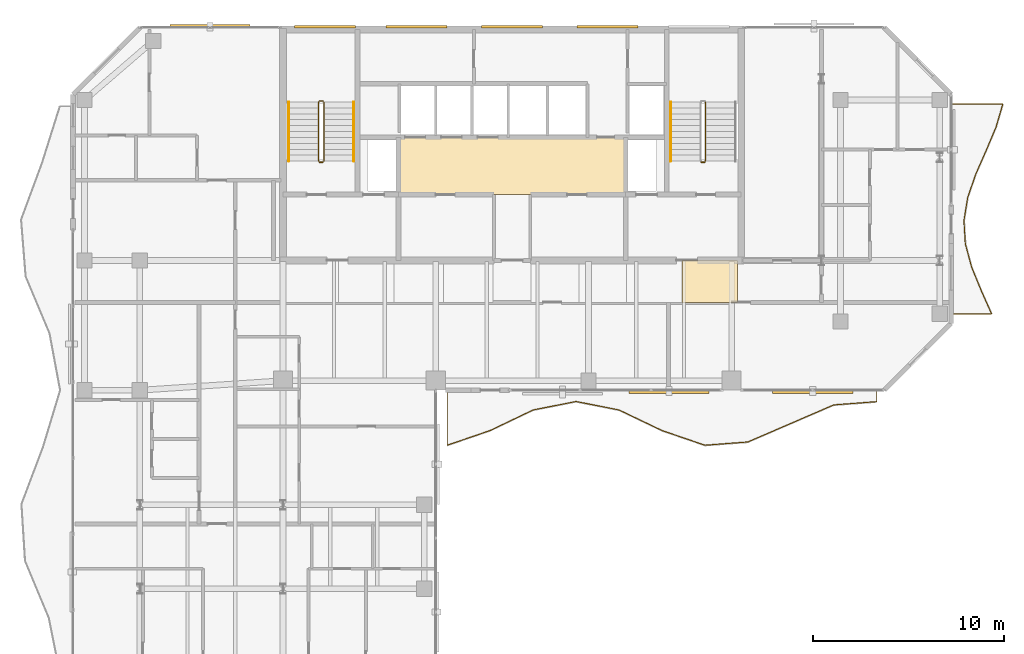
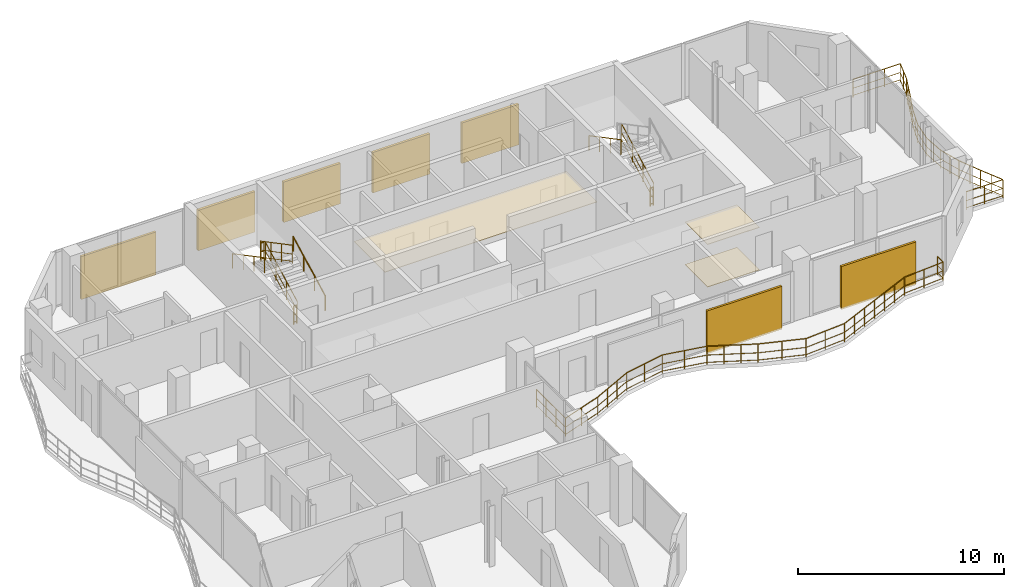
# One storey, part 22 of 23: 11 railings, 7 shading devices, 3 coverings.
"""IFC4 building model written with IfcOpenShell, lengths in metres."""

from ifc_helpers import new_model, si_unit, direction, frame, origin, origin_2d, place, context, subcontext, project, spatial, polyline, rectangle, circle, outline, extrude, material, layer, layer_set, type_object, element, save


model = new_model("IFC4")

# Units and contexts
model_context = context("Model", 3, precision=1e-05, world=origin(), true_north=direction((0.0, 1.0)))
body_context = subcontext(model_context, "Body", "Model", "MODEL_VIEW")
ifc_project = project(units=[si_unit("LENGTHUNIT", "METRE"), si_unit("AREAUNIT", "SQUARE_METRE"), si_unit("VOLUMEUNIT", "CUBIC_METRE"), si_unit("PLANEANGLEUNIT", "RADIAN"), si_unit("MASSUNIT", "GRAM", prefix="KILO")], contexts=[model_context])

# Site, building, storey
site_placement = place(None, origin())
site = spatial("IfcSite", under=ifc_project, at=site_placement, CompositionType="ELEMENT")
building_placement = place(site_placement, origin())
building = spatial("IfcBuilding", under=site, at=building_placement, Name="Catumbela Crestline Tower", CompositionType="ELEMENT")
storey_placement = place(building_placement, frame((0.0, 0.0, 165.0)))
storey = spatial("IfcBuildingStorey", under=building, at=storey_placement, Name="L42", CompositionType="ELEMENT", Elevation=165.0)

# Coverings
ifc_material_1 = material(Name="Mineral-fibre acoustic ceiling")
ifc_layer_1 = layer(ifc_material_1, 0.03, Name="Mineral-fibre acoustic ceiling")
ifc_layer_set_1 = layer_set([ifc_layer_1], Name="Mineral-fibre acoustic ceiling")
covering_type_1 = type_object("IfcCoveringType", Name="CC-AC", PredefinedType="CEILING", material=ifc_layer_set_1)
covering_1_placement = place(storey_placement, frame((0.0, 0.0, 2.65)))
element("IfcCovering", 1, at=covering_1_placement, inside=storey, type_object=covering_type_1, Name="L42 Lift Lobby Acoustic Ceiling", PredefinedType="CEILING", context=body_context, shape_type="SweptSolid", body=[
    extrude(outline(polyline([(22.05, 34.25), (33.95, 34.25), (33.95, 37.25), (22.05, 37.25), (22.05, 34.25)])), origin(), (0.0, 0.0, 1.0), 0.03),
])
covering_2_placement = place(storey_placement, frame((0.0, 0.0, 2.52)))
element("IfcCovering", 2, at=covering_2_placement, inside=storey, type_object=covering_type_1, Name="L42 Corridor Acoustic Ceiling Bay 8", PredefinedType="CEILING", context=body_context, shape_type="SweptSolid", body=[
    extrude(outline(polyline([(36.9, 28.6), (39.8, 28.6), (39.8, 30.8), (36.9, 30.8), (36.9, 28.6)])), origin(), (0.0, 0.0, 1.0), 0.03),
])
ifc_material_2 = material(Name="Angolan grey-ochre granite", Category="masonry")
ifc_layer_2 = layer(ifc_material_2, 0.025, Name="Angolan grey-ochre granite")
ifc_layer_set_2 = layer_set([ifc_layer_2], Name="Angolan grey-ochre granite")
covering_type_2 = type_object("IfcCoveringType", Name="CF-GR", PredefinedType="FLOORING", material=ifc_layer_set_2)
covering_3_placement = place(storey_placement, origin())
element("IfcCovering", 3, at=covering_3_placement, inside=storey, type_object=covering_type_2, Name="L42 Corridor Granite Flooring Bay 8", PredefinedType="FLOORING", context=body_context, shape_type="SweptSolid", body=[
    extrude(outline(polyline([(36.9, 28.6), (39.8, 28.6), (39.8, 30.8), (36.9, 30.8), (36.9, 28.6)])), origin(), (0.0, 0.0, 1.0), 0.025),
])

# Railings
ifc_material_3 = material(Name="Stainless steel EN 1.4401", Category="steel")
railing_type_1 = type_object("IfcRailingType", Name="RB-1100", PredefinedType="BALUSTRADE", material=ifc_material_3)
railing_1_placement = place(storey_placement, frame((24.6, 23.94, 0.0)))
element("IfcRailing", 4, at=railing_1_placement, inside=storey, type_object=railing_type_1, Name="L42 Private Wave Balcony Balustrade 1", PredefinedType="BALUSTRADE", context=body_context, shape_type="SweptSolid", body=[
    extrude(circle(Radius=0.024, at=origin_2d()), frame((0.0, 0.0, 1.076), z_axis=(0.0, -1.0, 0.0), x_axis=(1.0, 0.0, 0.0)), (0.0, 0.0, 1.0), 2.8213),
    extrude(circle(Radius=0.0156, at=origin_2d()), frame((0.0, 0.0, 0.55), z_axis=(0.0, -1.0, 0.0), x_axis=(1.0, 0.0, 0.0)), (0.0, 0.0, 1.0), 2.8213),
    extrude(circle(Radius=0.0156, at=origin_2d()), frame((0.0, 0.0, 0.12), z_axis=(0.0, -1.0, 0.0), x_axis=(1.0, 0.0, 0.0)), (0.0, 0.0, 1.0), 2.8213),
    extrude(circle(Radius=0.024, at=origin_2d()), frame((0.0, -2.8213, 1.076), z_axis=(0.946065665735, 0.323974931311, 0.0), x_axis=(-0.323974931311, 0.946065665735, 0.0)), (0.0, 0.0, 1.0), 2.3783),
    extrude(circle(Radius=0.0156, at=origin_2d()), frame((0.0, -2.8213, 0.55), z_axis=(0.946065665735, 0.323974931311, 0.0), x_axis=(-0.323974931311, 0.946065665735, 0.0)), (0.0, 0.0, 1.0), 2.3783),
    extrude(circle(Radius=0.0156, at=origin_2d()), frame((0.0, -2.8213, 0.12), z_axis=(0.946065665735, 0.323974931311, 0.0), x_axis=(-0.323974931311, 0.946065665735, 0.0)), (0.0, 0.0, 1.0), 2.3783),
    extrude(circle(Radius=0.024, at=origin_2d()), frame((2.25, -2.0508, 1.076), z_axis=(0.902132186045, 0.431459753513, 0.0), x_axis=(-0.431459753513, 0.902132186045, 0.0)), (0.0, 0.0, 1.0), 2.4941),
    extrude(circle(Radius=0.0156, at=origin_2d()), frame((2.25, -2.0508, 0.55), z_axis=(0.902132186045, 0.431459753513, 0.0), x_axis=(-0.431459753513, 0.902132186045, 0.0)), (0.0, 0.0, 1.0), 2.4941),
    extrude(circle(Radius=0.0156, at=origin_2d()), frame((2.25, -2.0508, 0.12), z_axis=(0.902132186045, 0.431459753513, 0.0), x_axis=(-0.431459753513, 0.902132186045, 0.0)), (0.0, 0.0, 1.0), 2.4941),
    extrude(circle(Radius=0.024, at=origin_2d()), frame((4.5, -0.9747, 1.076), z_axis=(0.981022553047, 0.193893657484, 0.0), x_axis=(-0.193893657484, 0.981022553047, 0.0)), (0.0, 0.0, 1.0), 2.2935),
    extrude(circle(Radius=0.0156, at=origin_2d()), frame((4.5, -0.9747, 0.55), z_axis=(0.981022553047, 0.193893657484, 0.0), x_axis=(-0.193893657484, 0.981022553047, 0.0)), (0.0, 0.0, 1.0), 2.2935),
    extrude(circle(Radius=0.0156, at=origin_2d()), frame((4.5, -0.9747, 0.12), z_axis=(0.981022553047, 0.193893657484, 0.0), x_axis=(-0.193893657484, 0.981022553047, 0.0)), (0.0, 0.0, 1.0), 2.2935),
    extrude(circle(Radius=0.024, at=origin_2d()), frame((6.75, -0.53, 1.076), z_axis=(0.981022553047, -0.193893657484, 0.0), x_axis=(0.193893657484, 0.981022553047, 0.0)), (0.0, 0.0, 1.0), 2.2935),
    extrude(circle(Radius=0.0156, at=origin_2d()), frame((6.75, -0.53, 0.55), z_axis=(0.981022553047, -0.193893657484, 0.0), x_axis=(0.193893657484, 0.981022553047, 0.0)), (0.0, 0.0, 1.0), 2.2935),
    extrude(circle(Radius=0.0156, at=origin_2d()), frame((6.75, -0.53, 0.12), z_axis=(0.981022553047, -0.193893657484, 0.0), x_axis=(0.193893657484, 0.981022553047, 0.0)), (0.0, 0.0, 1.0), 2.2935),
    extrude(circle(Radius=0.024, at=origin_2d()), frame((9.0, -0.9747, 1.076), z_axis=(0.902132186045, -0.431459753513, 0.0), x_axis=(0.431459753513, 0.902132186045, 0.0)), (0.0, 0.0, 1.0), 2.4941),
    extrude(circle(Radius=0.0156, at=origin_2d()), frame((9.0, -0.9747, 0.55), z_axis=(0.902132186045, -0.431459753513, 0.0), x_axis=(0.431459753513, 0.902132186045, 0.0)), (0.0, 0.0, 1.0), 2.4941),
    extrude(circle(Radius=0.0156, at=origin_2d()), frame((9.0, -0.9747, 0.12), z_axis=(0.902132186045, -0.431459753513, 0.0), x_axis=(0.431459753513, 0.902132186045, 0.0)), (0.0, 0.0, 1.0), 2.4941),
    extrude(circle(Radius=0.024, at=origin_2d()), frame((11.25, -2.0508, 1.076), z_axis=(0.946065665735, -0.323974931311, 0.0), x_axis=(0.323974931311, 0.946065665735, 0.0)), (0.0, 0.0, 1.0), 2.3783),
    extrude(circle(Radius=0.0156, at=origin_2d()), frame((11.25, -2.0508, 0.55), z_axis=(0.946065665735, -0.323974931311, 0.0), x_axis=(0.323974931311, 0.946065665735, 0.0)), (0.0, 0.0, 1.0), 2.3783),
    extrude(circle(Radius=0.0156, at=origin_2d()), frame((11.25, -2.0508, 0.12), z_axis=(0.946065665735, -0.323974931311, 0.0), x_axis=(0.323974931311, 0.946065665735, 0.0)), (0.0, 0.0, 1.0), 2.3783),
    extrude(circle(Radius=0.024, at=origin_2d()), frame((13.5, -2.8213, 1.076), z_axis=(0.997141170455, 0.075561142028, 0.0), x_axis=(-0.075561142028, 0.997141170455, 0.0)), (0.0, 0.0, 1.0), 2.2565),
    extrude(circle(Radius=0.0156, at=origin_2d()), frame((13.5, -2.8213, 0.55), z_axis=(0.997141170455, 0.075561142028, 0.0), x_axis=(-0.075561142028, 0.997141170455, 0.0)), (0.0, 0.0, 1.0), 2.2565),
    extrude(circle(Radius=0.0156, at=origin_2d()), frame((13.5, -2.8213, 0.12), z_axis=(0.997141170455, 0.075561142028, 0.0), x_axis=(-0.075561142028, 0.997141170455, 0.0)), (0.0, 0.0, 1.0), 2.2565),
    extrude(circle(Radius=0.024, at=origin_2d()), frame((15.75, -2.6508, 1.076), z_axis=(0.918179780553, 0.396163969316, 0.0), x_axis=(-0.396163969316, 0.918179780553, 0.0)), (0.0, 0.0, 1.0), 2.4505),
    extrude(circle(Radius=0.0156, at=origin_2d()), frame((15.75, -2.6508, 0.55), z_axis=(0.918179780553, 0.396163969316, 0.0), x_axis=(-0.396163969316, 0.918179780553, 0.0)), (0.0, 0.0, 1.0), 2.4505),
    extrude(circle(Radius=0.0156, at=origin_2d()), frame((15.75, -2.6508, 0.12), z_axis=(0.918179780553, 0.396163969316, 0.0), x_axis=(-0.396163969316, 0.918179780553, 0.0)), (0.0, 0.0, 1.0), 2.4505),
    extrude(circle(Radius=0.024, at=origin_2d()), frame((18.0, -1.68, 1.076), z_axis=(0.918179780553, 0.396163969316, 0.0), x_axis=(-0.396163969316, 0.918179780553, 0.0)), (0.0, 0.0, 1.0), 2.4505),
    extrude(circle(Radius=0.0156, at=origin_2d()), frame((18.0, -1.68, 0.55), z_axis=(0.918179780553, 0.396163969316, 0.0), x_axis=(-0.396163969316, 0.918179780553, 0.0)), (0.0, 0.0, 1.0), 2.4505),
    extrude(circle(Radius=0.0156, at=origin_2d()), frame((18.0, -1.68, 0.12), z_axis=(0.918179780553, 0.396163969316, 0.0), x_axis=(-0.396163969316, 0.918179780553, 0.0)), (0.0, 0.0, 1.0), 2.4505),
    extrude(circle(Radius=0.024, at=origin_2d()), frame((20.25, -0.7092, 1.076), z_axis=(0.997141170455, 0.075561142028, 0.0), x_axis=(-0.075561142028, 0.997141170455, 0.0)), (0.0, 0.0, 1.0), 2.2565),
    extrude(circle(Radius=0.0156, at=origin_2d()), frame((20.25, -0.7092, 0.55), z_axis=(0.997141170455, 0.075561142028, 0.0), x_axis=(-0.075561142028, 0.997141170455, 0.0)), (0.0, 0.0, 1.0), 2.2565),
    extrude(circle(Radius=0.0156, at=origin_2d()), frame((20.25, -0.7092, 0.12), z_axis=(0.997141170455, 0.075561142028, 0.0), x_axis=(-0.075561142028, 0.997141170455, 0.0)), (0.0, 0.0, 1.0), 2.2565),
    extrude(circle(Radius=0.024, at=origin_2d()), frame((22.5, -0.5387, 1.076), z_axis=(0.0, 1.0, 0.0), x_axis=(-1.0, 0.0, 0.0)), (0.0, 0.0, 1.0), 0.5387),
    extrude(circle(Radius=0.0156, at=origin_2d()), frame((22.5, -0.5387, 0.55), z_axis=(0.0, 1.0, 0.0), x_axis=(-1.0, 0.0, 0.0)), (0.0, 0.0, 1.0), 0.5387),
    extrude(circle(Radius=0.0156, at=origin_2d()), frame((22.5, -0.5387, 0.12), z_axis=(0.0, 1.0, 0.0), x_axis=(-1.0, 0.0, 0.0)), (0.0, 0.0, 1.0), 0.5387),
    extrude(circle(Radius=0.021, at=origin_2d()), origin(), (0.0, 0.0, 1.0), 1.052),
    extrude(circle(Radius=0.021, at=origin_2d()), frame((0.0, -0.9404, 0.0)), (0.0, 0.0, 1.0), 1.052),
    extrude(circle(Radius=0.021, at=origin_2d()), frame((0.0, -1.8809, 0.0)), (0.0, 0.0, 1.0), 1.052),
    extrude(circle(Radius=0.021, at=origin_2d()), frame((0.0, -2.8213, 0.0)), (0.0, 0.0, 1.0), 1.052),
    extrude(circle(Radius=0.021, at=origin_2d()), frame((1.125, -2.4361, 0.0)), (0.0, 0.0, 1.0), 1.052),
    extrude(circle(Radius=0.021, at=origin_2d()), frame((2.25, -2.0508, 0.0)), (0.0, 0.0, 1.0), 1.052),
    extrude(circle(Radius=0.021, at=origin_2d()), frame((3.0, -1.6921, 0.0)), (0.0, 0.0, 1.0), 1.052),
    extrude(circle(Radius=0.021, at=origin_2d()), frame((3.75, -1.3334, 0.0)), (0.0, 0.0, 1.0), 1.052),
    extrude(circle(Radius=0.021, at=origin_2d()), frame((4.5, -0.9747, 0.0)), (0.0, 0.0, 1.0), 1.052),
    extrude(circle(Radius=0.021, at=origin_2d()), frame((5.625, -0.7524, 0.0)), (0.0, 0.0, 1.0), 1.052),
    extrude(circle(Radius=0.021, at=origin_2d()), frame((6.75, -0.53, 0.0)), (0.0, 0.0, 1.0), 1.052),
    extrude(circle(Radius=0.021, at=origin_2d()), frame((7.875, -0.7524, 0.0)), (0.0, 0.0, 1.0), 1.052),
    extrude(circle(Radius=0.021, at=origin_2d()), frame((9.0, -0.9747, 0.0)), (0.0, 0.0, 1.0), 1.052),
    extrude(circle(Radius=0.021, at=origin_2d()), frame((9.75, -1.3334, 0.0)), (0.0, 0.0, 1.0), 1.052),
    extrude(circle(Radius=0.021, at=origin_2d()), frame((10.5, -1.6921, 0.0)), (0.0, 0.0, 1.0), 1.052),
    extrude(circle(Radius=0.021, at=origin_2d()), frame((11.25, -2.0508, 0.0)), (0.0, 0.0, 1.0), 1.052),
    extrude(circle(Radius=0.021, at=origin_2d()), frame((12.375, -2.4361, 0.0)), (0.0, 0.0, 1.0), 1.052),
    extrude(circle(Radius=0.021, at=origin_2d()), frame((13.5, -2.8213, 0.0)), (0.0, 0.0, 1.0), 1.052),
    extrude(circle(Radius=0.021, at=origin_2d()), frame((14.625, -2.7361, 0.0)), (0.0, 0.0, 1.0), 1.052),
    extrude(circle(Radius=0.021, at=origin_2d()), frame((15.75, -2.6508, 0.0)), (0.0, 0.0, 1.0), 1.052),
    extrude(circle(Radius=0.021, at=origin_2d()), frame((16.5, -2.3272, 0.0)), (0.0, 0.0, 1.0), 1.052),
    extrude(circle(Radius=0.021, at=origin_2d()), frame((17.25, -2.0036, 0.0)), (0.0, 0.0, 1.0), 1.052),
    extrude(circle(Radius=0.021, at=origin_2d()), frame((18.0, -1.68, 0.0)), (0.0, 0.0, 1.0), 1.052),
    extrude(circle(Radius=0.021, at=origin_2d()), frame((18.75, -1.3564, 0.0)), (0.0, 0.0, 1.0), 1.052),
    extrude(circle(Radius=0.021, at=origin_2d()), frame((19.5, -1.0328, 0.0)), (0.0, 0.0, 1.0), 1.052),
    extrude(circle(Radius=0.021, at=origin_2d()), frame((20.25, -0.7092, 0.0)), (0.0, 0.0, 1.0), 1.052),
    extrude(circle(Radius=0.021, at=origin_2d()), frame((21.375, -0.624, 0.0)), (0.0, 0.0, 1.0), 1.052),
    extrude(circle(Radius=0.021, at=origin_2d()), frame((22.5, -0.5387, 0.0)), (0.0, 0.0, 1.0), 1.052),
    extrude(circle(Radius=0.021, at=origin_2d()), frame((22.5, 0.0, 0.0)), (0.0, 0.0, 1.0), 1.052),
])
railing_2_placement = place(storey_placement, frame((51.06, 28.0, 0.0)))
element("IfcRailing", 5, at=railing_2_placement, inside=storey, type_object=railing_type_1, Name="L42 Private Wave Balcony Balustrade 2", PredefinedType="BALUSTRADE", context=body_context, shape_type="SweptSolid", body=[
    extrude(circle(Radius=0.024, at=origin_2d()), frame((0.0, 0.0, 1.076), z_axis=(1.0, 0.0, 0.0), x_axis=(0.0, 1.0, 0.0)), (0.0, 0.0, 1.0), 2.0571),
    extrude(circle(Radius=0.0156, at=origin_2d()), frame((0.0, 0.0, 0.55), z_axis=(1.0, 0.0, 0.0), x_axis=(0.0, 1.0, 0.0)), (0.0, 0.0, 1.0), 2.0571),
    extrude(circle(Radius=0.0156, at=origin_2d()), frame((0.0, 0.0, 0.12), z_axis=(1.0, 0.0, 0.0), x_axis=(0.0, 1.0, 0.0)), (0.0, 0.0, 1.0), 2.0571),
    extrude(circle(Radius=0.024, at=origin_2d()), frame((2.0571, 0.0, 1.076), z_axis=(-0.406762530964, 0.913533931173, 0.0), x_axis=(-0.913533931173, -0.406762530964, 0.0)), (0.0, 0.0, 1.0), 1.3379),
    extrude(circle(Radius=0.0156, at=origin_2d()), frame((2.0571, 0.0, 0.55), z_axis=(-0.406762530964, 0.913533931173, 0.0), x_axis=(-0.913533931173, -0.406762530964, 0.0)), (0.0, 0.0, 1.0), 1.3379),
    extrude(circle(Radius=0.0156, at=origin_2d()), frame((2.0571, 0.0, 0.12), z_axis=(-0.406762530964, 0.913533931173, 0.0), x_axis=(-0.913533931173, -0.406762530964, 0.0)), (0.0, 0.0, 1.0), 1.3379),
    extrude(circle(Radius=0.024, at=origin_2d()), frame((1.5129, 1.2222, 1.076), z_axis=(-0.379481592709, 0.92519928707, 0.0), x_axis=(-0.92519928707, -0.379481592709, 0.0)), (0.0, 0.0, 1.0), 1.321),
    extrude(circle(Radius=0.0156, at=origin_2d()), frame((1.5129, 1.2222, 0.55), z_axis=(-0.379481592709, 0.92519928707, 0.0), x_axis=(-0.92519928707, -0.379481592709, 0.0)), (0.0, 0.0, 1.0), 1.321),
    extrude(circle(Radius=0.0156, at=origin_2d()), frame((1.5129, 1.2222, 0.12), z_axis=(-0.379481592709, 0.92519928707, 0.0), x_axis=(-0.92519928707, -0.379481592709, 0.0)), (0.0, 0.0, 1.0), 1.321),
    extrude(circle(Radius=0.024, at=origin_2d()), frame((1.0116, 2.4444, 1.076), z_axis=(-0.260576771325, 0.96545313001, 0.0), x_axis=(-0.96545313001, -0.260576771325, 0.0)), (0.0, 0.0, 1.0), 1.266),
    extrude(circle(Radius=0.0156, at=origin_2d()), frame((1.0116, 2.4444, 0.55), z_axis=(-0.260576771325, 0.96545313001, 0.0), x_axis=(-0.96545313001, -0.260576771325, 0.0)), (0.0, 0.0, 1.0), 1.266),
    extrude(circle(Radius=0.0156, at=origin_2d()), frame((1.0116, 2.4444, 0.12), z_axis=(-0.260576771325, 0.96545313001, 0.0), x_axis=(-0.96545313001, -0.260576771325, 0.0)), (0.0, 0.0, 1.0), 1.266),
    extrude(circle(Radius=0.024, at=origin_2d()), frame((0.6817, 3.6667, 1.076), z_axis=(-0.06035450881, 0.998177004978, 0.0), x_axis=(-0.998177004978, -0.06035450881, 0.0)), (0.0, 0.0, 1.0), 1.2244),
    extrude(circle(Radius=0.0156, at=origin_2d()), frame((0.6817, 3.6667, 0.55), z_axis=(-0.06035450881, 0.998177004978, 0.0), x_axis=(-0.998177004978, -0.06035450881, 0.0)), (0.0, 0.0, 1.0), 1.2244),
    extrude(circle(Radius=0.0156, at=origin_2d()), frame((0.6817, 3.6667, 0.12), z_axis=(-0.06035450881, 0.998177004978, 0.0), x_axis=(-0.998177004978, -0.06035450881, 0.0)), (0.0, 0.0, 1.0), 1.2244),
    extrude(circle(Radius=0.024, at=origin_2d()), frame((0.6078, 4.8889, 1.076), z_axis=(0.162277672782, 0.986745132705, 0.0), x_axis=(-0.986745132705, 0.162277672782, 0.0)), (0.0, 0.0, 1.0), 1.2386),
    extrude(circle(Radius=0.0156, at=origin_2d()), frame((0.6078, 4.8889, 0.55), z_axis=(0.162277672782, 0.986745132705, 0.0), x_axis=(-0.986745132705, 0.162277672782, 0.0)), (0.0, 0.0, 1.0), 1.2386),
    extrude(circle(Radius=0.0156, at=origin_2d()), frame((0.6078, 4.8889, 0.12), z_axis=(0.162277672782, 0.986745132705, 0.0), x_axis=(-0.986745132705, 0.162277672782, 0.0)), (0.0, 0.0, 1.0), 1.2386),
    extrude(circle(Radius=0.024, at=origin_2d()), frame((0.8088, 6.1111, 1.076), z_axis=(0.328097905892, 0.944643723395, 0.0), x_axis=(-0.944643723395, 0.328097905892, 0.0)), (0.0, 0.0, 1.0), 1.2938),
    extrude(circle(Radius=0.0156, at=origin_2d()), frame((0.8088, 6.1111, 0.55), z_axis=(0.328097905892, 0.944643723395, 0.0), x_axis=(-0.944643723395, 0.328097905892, 0.0)), (0.0, 0.0, 1.0), 1.2938),
    extrude(circle(Radius=0.0156, at=origin_2d()), frame((0.8088, 6.1111, 0.12), z_axis=(0.328097905892, 0.944643723395, 0.0), x_axis=(-0.944643723395, 0.328097905892, 0.0)), (0.0, 0.0, 1.0), 1.2938),
    extrude(circle(Radius=0.024, at=origin_2d()), frame((1.2333, 7.3333, 1.076), z_axis=(0.403420872886, 0.915014535032, 0.0), x_axis=(-0.915014535032, 0.403420872886, 0.0)), (0.0, 0.0, 1.0), 1.3358),
    extrude(circle(Radius=0.0156, at=origin_2d()), frame((1.2333, 7.3333, 0.55), z_axis=(0.403420872886, 0.915014535032, 0.0), x_axis=(-0.915014535032, 0.403420872886, 0.0)), (0.0, 0.0, 1.0), 1.3358),
    extrude(circle(Radius=0.0156, at=origin_2d()), frame((1.2333, 7.3333, 0.12), z_axis=(0.403420872886, 0.915014535032, 0.0), x_axis=(-0.915014535032, 0.403420872886, 0.0)), (0.0, 0.0, 1.0), 1.3358),
    extrude(circle(Radius=0.024, at=origin_2d()), frame((1.7722, 8.5556, 1.076), z_axis=(0.388562501321, 0.921422369257, 0.0), x_axis=(-0.921422369257, 0.388562501321, 0.0)), (0.0, 0.0, 1.0), 1.3264),
    extrude(circle(Radius=0.0156, at=origin_2d()), frame((1.7722, 8.5556, 0.55), z_axis=(0.388562501321, 0.921422369257, 0.0), x_axis=(-0.921422369257, 0.388562501321, 0.0)), (0.0, 0.0, 1.0), 1.3264),
    extrude(circle(Radius=0.0156, at=origin_2d()), frame((1.7722, 8.5556, 0.12), z_axis=(0.388562501321, 0.921422369257, 0.0), x_axis=(-0.921422369257, 0.388562501321, 0.0)), (0.0, 0.0, 1.0), 1.3264),
    extrude(circle(Radius=0.024, at=origin_2d()), frame((2.2876, 9.7778, 1.076), z_axis=(0.282187572422, 0.959359251777, 0.0), x_axis=(-0.959359251777, 0.282187572422, 0.0)), (0.0, 0.0, 1.0), 1.274),
    extrude(circle(Radius=0.0156, at=origin_2d()), frame((2.2876, 9.7778, 0.55), z_axis=(0.282187572422, 0.959359251777, 0.0), x_axis=(-0.959359251777, 0.282187572422, 0.0)), (0.0, 0.0, 1.0), 1.274),
    extrude(circle(Radius=0.0156, at=origin_2d()), frame((2.2876, 9.7778, 0.12), z_axis=(0.282187572422, 0.959359251777, 0.0), x_axis=(-0.959359251777, 0.282187572422, 0.0)), (0.0, 0.0, 1.0), 1.274),
    extrude(circle(Radius=0.024, at=origin_2d()), frame((2.6471, 11.0, 1.076), z_axis=(-1.0, 0.0, 0.0), x_axis=(0.0, -1.0, 0.0)), (0.0, 0.0, 1.0), 2.6471),
    extrude(circle(Radius=0.0156, at=origin_2d()), frame((2.6471, 11.0, 0.55), z_axis=(-1.0, 0.0, 0.0), x_axis=(0.0, -1.0, 0.0)), (0.0, 0.0, 1.0), 2.6471),
    extrude(circle(Radius=0.0156, at=origin_2d()), frame((2.6471, 11.0, 0.12), z_axis=(-1.0, 0.0, 0.0), x_axis=(0.0, -1.0, 0.0)), (0.0, 0.0, 1.0), 2.6471),
    extrude(circle(Radius=0.021, at=origin_2d()), origin(), (0.0, 0.0, 1.0), 1.052),
    extrude(circle(Radius=0.021, at=origin_2d()), frame((1.0285, 0.0, 0.0)), (0.0, 0.0, 1.0), 1.052),
    extrude(circle(Radius=0.021, at=origin_2d()), frame((2.0571, 0.0, 0.0)), (0.0, 0.0, 1.0), 1.052),
    extrude(circle(Radius=0.021, at=origin_2d()), frame((1.785, 0.6111, 0.0)), (0.0, 0.0, 1.0), 1.052),
    extrude(circle(Radius=0.021, at=origin_2d()), frame((1.5129, 1.2222, 0.0)), (0.0, 0.0, 1.0), 1.052),
    extrude(circle(Radius=0.021, at=origin_2d()), frame((1.2622, 1.8333, 0.0)), (0.0, 0.0, 1.0), 1.052),
    extrude(circle(Radius=0.021, at=origin_2d()), frame((1.0116, 2.4444, 0.0)), (0.0, 0.0, 1.0), 1.052),
    extrude(circle(Radius=0.021, at=origin_2d()), frame((0.8466, 3.0556, 0.0)), (0.0, 0.0, 1.0), 1.052),
    extrude(circle(Radius=0.021, at=origin_2d()), frame((0.6817, 3.6667, 0.0)), (0.0, 0.0, 1.0), 1.052),
    extrude(circle(Radius=0.021, at=origin_2d()), frame((0.6447, 4.2778, 0.0)), (0.0, 0.0, 1.0), 1.052),
    extrude(circle(Radius=0.021, at=origin_2d()), frame((0.6078, 4.8889, 0.0)), (0.0, 0.0, 1.0), 1.052),
    extrude(circle(Radius=0.021, at=origin_2d()), frame((0.7083, 5.5, 0.0)), (0.0, 0.0, 1.0), 1.052),
    extrude(circle(Radius=0.021, at=origin_2d()), frame((0.8088, 6.1111, 0.0)), (0.0, 0.0, 1.0), 1.052),
    extrude(circle(Radius=0.021, at=origin_2d()), frame((1.021, 6.7222, 0.0)), (0.0, 0.0, 1.0), 1.052),
    extrude(circle(Radius=0.021, at=origin_2d()), frame((1.2333, 7.3333, 0.0)), (0.0, 0.0, 1.0), 1.052),
    extrude(circle(Radius=0.021, at=origin_2d()), frame((1.5027, 7.9444, 0.0)), (0.0, 0.0, 1.0), 1.052),
    extrude(circle(Radius=0.021, at=origin_2d()), frame((1.7722, 8.5556, 0.0)), (0.0, 0.0, 1.0), 1.052),
    extrude(circle(Radius=0.021, at=origin_2d()), frame((2.0299, 9.1667, 0.0)), (0.0, 0.0, 1.0), 1.052),
    extrude(circle(Radius=0.021, at=origin_2d()), frame((2.2876, 9.7778, 0.0)), (0.0, 0.0, 1.0), 1.052),
    extrude(circle(Radius=0.021, at=origin_2d()), frame((2.4673, 10.3889, 0.0)), (0.0, 0.0, 1.0), 1.052),
    extrude(circle(Radius=0.021, at=origin_2d()), frame((2.6471, 11.0, 0.0)), (0.0, 0.0, 1.0), 1.052),
    extrude(circle(Radius=0.021, at=origin_2d()), frame((1.7647, 11.0, 0.0)), (0.0, 0.0, 1.0), 1.052),
    extrude(circle(Radius=0.021, at=origin_2d()), frame((0.8824, 11.0, 0.0)), (0.0, 0.0, 1.0), 1.052),
    extrude(circle(Radius=0.021, at=origin_2d()), frame((0.0, 11.0, 0.0)), (0.0, 0.0, 1.0), 1.052),
])
railing_type_2 = type_object("IfcRailingType", Name="RG-1100", PredefinedType="GUARDRAIL", material=ifc_material_3)
railing_3_placement = place(storey_placement, frame((18.14, 36.0, 0.1636)))
element("IfcRailing", 6, at=railing_3_placement, inside=storey, type_object=railing_type_2, Name="L42 ST-01 stair guard 1", PredefinedType="GUARDRAIL", context=body_context, shape_type="SweptSolid", body=[
    extrude(circle(Radius=0.024, at=origin_2d()), frame((0.0, 0.0, 1.076), z_axis=(0.0, 0.884350731049, 0.466823076222), x_axis=(-1.0, 0.0, 0.0)), (0.0, 0.0, 1.0), 3.5054),
    extrude(circle(Radius=0.0156, at=origin_2d()), frame((0.0, 0.0, 0.55), z_axis=(0.0, 0.884350731049, 0.466823076222), x_axis=(-1.0, 0.0, 0.0)), (0.0, 0.0, 1.0), 3.5054),
    extrude(circle(Radius=0.0156, at=origin_2d()), frame((0.0, 0.0, 0.12), z_axis=(0.0, 0.884350731049, 0.466823076222), x_axis=(-1.0, 0.0, 0.0)), (0.0, 0.0, 1.0), 3.5054),
    extrude(circle(Radius=0.021, at=origin_2d()), origin(), (0.0, 0.0, 1.0), 1.052),
    extrude(circle(Radius=0.021, at=origin_2d()), frame((0.0, 1.0333, 0.5455)), (0.0, 0.0, 1.0), 1.052),
    extrude(circle(Radius=0.021, at=origin_2d()), frame((0.0, 2.0667, 1.0909)), (0.0, 0.0, 1.0), 1.052),
    extrude(circle(Radius=0.021, at=origin_2d()), frame((0.0, 3.1, 1.6364)), (0.0, 0.0, 1.0), 1.052),
])
railing_4_placement = place(storey_placement, frame((18.09, 39.15, 1.8)))
element("IfcRailing", 7, at=railing_4_placement, inside=storey, type_object=railing_type_2, Name="L42 ST-01 stair guard 2", PredefinedType="GUARDRAIL", context=body_context, shape_type="SweptSolid", body=[
    extrude(circle(Radius=0.024, at=origin_2d()), frame((0.0, 0.0, 1.076), z_axis=(-1.0, 0.0, 0.0), x_axis=(0.0, -1.0, 0.0)), (0.0, 0.0, 1.0), 0.18),
    extrude(circle(Radius=0.0156, at=origin_2d()), frame((0.0, 0.0, 0.55), z_axis=(-1.0, 0.0, 0.0), x_axis=(0.0, -1.0, 0.0)), (0.0, 0.0, 1.0), 0.18),
    extrude(circle(Radius=0.0156, at=origin_2d()), frame((0.0, 0.0, 0.12), z_axis=(-1.0, 0.0, 0.0), x_axis=(0.0, -1.0, 0.0)), (0.0, 0.0, 1.0), 0.18),
    extrude(circle(Radius=0.021, at=origin_2d()), origin(), (0.0, 0.0, 1.0), 1.052),
    extrude(circle(Radius=0.021, at=origin_2d()), frame((-0.18, 0.0, 0.0)), (0.0, 0.0, 1.0), 1.052),
])
railing_5_placement = place(storey_placement, frame((17.86, 39.1, 1.9636)))
element("IfcRailing", 8, at=railing_5_placement, inside=storey, type_object=railing_type_2, Name="L42 ST-01 stair guard 3", PredefinedType="GUARDRAIL", context=body_context, shape_type="SweptSolid", body=[
    extrude(circle(Radius=0.024, at=origin_2d()), frame((0.0, 0.0, 1.076), z_axis=(0.0, -0.884350731049, 0.466823076222), x_axis=(1.0, 0.0, 0.0)), (0.0, 0.0, 1.0), 3.5054),
    extrude(circle(Radius=0.0156, at=origin_2d()), frame((0.0, 0.0, 0.55), z_axis=(0.0, -0.884350731049, 0.466823076222), x_axis=(1.0, 0.0, 0.0)), (0.0, 0.0, 1.0), 3.5054),
    extrude(circle(Radius=0.0156, at=origin_2d()), frame((0.0, 0.0, 0.12), z_axis=(0.0, -0.884350731049, 0.466823076222), x_axis=(1.0, 0.0, 0.0)), (0.0, 0.0, 1.0), 3.5054),
    extrude(circle(Radius=0.021, at=origin_2d()), origin(), (0.0, 0.0, 1.0), 1.052),
    extrude(circle(Radius=0.021, at=origin_2d()), frame((0.0, -1.0333, 0.5455)), (0.0, 0.0, 1.0), 1.052),
    extrude(circle(Radius=0.021, at=origin_2d()), frame((0.0, -2.0667, 1.0909)), (0.0, 0.0, 1.0), 1.052),
    extrude(circle(Radius=0.021, at=origin_2d()), frame((0.0, -3.1, 1.6364)), (0.0, 0.0, 1.0), 1.052),
])
railing_6_placement = place(storey_placement, frame((18.09, 35.95, 0.0)))
element("IfcRailing", 9, at=railing_6_placement, inside=storey, type_object=railing_type_2, Name="L42 ST-01 stair guard 4", PredefinedType="GUARDRAIL", context=body_context, shape_type="SweptSolid", body=[
    extrude(circle(Radius=0.024, at=origin_2d()), frame((0.0, 0.0, 1.076), z_axis=(-1.0, 0.0, 0.0), x_axis=(0.0, -1.0, 0.0)), (0.0, 0.0, 1.0), 0.18),
    extrude(circle(Radius=0.0156, at=origin_2d()), frame((0.0, 0.0, 0.55), z_axis=(-1.0, 0.0, 0.0), x_axis=(0.0, -1.0, 0.0)), (0.0, 0.0, 1.0), 0.18),
    extrude(circle(Radius=0.0156, at=origin_2d()), frame((0.0, 0.0, 0.12), z_axis=(-1.0, 0.0, 0.0), x_axis=(0.0, -1.0, 0.0)), (0.0, 0.0, 1.0), 0.18),
    extrude(circle(Radius=0.021, at=origin_2d()), origin(), (0.0, 0.0, 1.0), 1.052),
    extrude(circle(Radius=0.021, at=origin_2d()), frame((-0.18, 0.0, 0.0)), (0.0, 0.0, 1.0), 1.052),
])
railing_7_placement = place(storey_placement, frame((38.14, 36.0, 0.1636)))
element("IfcRailing", 10, at=railing_7_placement, inside=storey, type_object=railing_type_2, Name="L42 ST-02 stair guard 1", PredefinedType="GUARDRAIL", context=body_context, shape_type="SweptSolid", body=[
    extrude(circle(Radius=0.024, at=origin_2d()), frame((0.0, 0.0, 1.076), z_axis=(0.0, 0.884350731049, 0.466823076222), x_axis=(-1.0, 0.0, 0.0)), (0.0, 0.0, 1.0), 3.5054),
    extrude(circle(Radius=0.0156, at=origin_2d()), frame((0.0, 0.0, 0.55), z_axis=(0.0, 0.884350731049, 0.466823076222), x_axis=(-1.0, 0.0, 0.0)), (0.0, 0.0, 1.0), 3.5054),
    extrude(circle(Radius=0.0156, at=origin_2d()), frame((0.0, 0.0, 0.12), z_axis=(0.0, 0.884350731049, 0.466823076222), x_axis=(-1.0, 0.0, 0.0)), (0.0, 0.0, 1.0), 3.5054),
    extrude(circle(Radius=0.021, at=origin_2d()), origin(), (0.0, 0.0, 1.0), 1.052),
    extrude(circle(Radius=0.021, at=origin_2d()), frame((0.0, 1.0333, 0.5455)), (0.0, 0.0, 1.0), 1.052),
    extrude(circle(Radius=0.021, at=origin_2d()), frame((0.0, 2.0667, 1.0909)), (0.0, 0.0, 1.0), 1.052),
    extrude(circle(Radius=0.021, at=origin_2d()), frame((0.0, 3.1, 1.6364)), (0.0, 0.0, 1.0), 1.052),
])
railing_8_placement = place(storey_placement, frame((38.09, 35.95, 0.0)))
element("IfcRailing", 11, at=railing_8_placement, inside=storey, type_object=railing_type_2, Name="L42 ST-02 stair guard 4", PredefinedType="GUARDRAIL", context=body_context, shape_type="SweptSolid", body=[
    extrude(circle(Radius=0.024, at=origin_2d()), frame((0.0, 0.0, 1.076), z_axis=(-1.0, 0.0, 0.0), x_axis=(0.0, -1.0, 0.0)), (0.0, 0.0, 1.0), 0.18),
    extrude(circle(Radius=0.0156, at=origin_2d()), frame((0.0, 0.0, 0.55), z_axis=(-1.0, 0.0, 0.0), x_axis=(0.0, -1.0, 0.0)), (0.0, 0.0, 1.0), 0.18),
    extrude(circle(Radius=0.0156, at=origin_2d()), frame((0.0, 0.0, 0.12), z_axis=(-1.0, 0.0, 0.0), x_axis=(0.0, -1.0, 0.0)), (0.0, 0.0, 1.0), 0.18),
    extrude(circle(Radius=0.021, at=origin_2d()), origin(), (0.0, 0.0, 1.0), 1.052),
    extrude(circle(Radius=0.021, at=origin_2d()), frame((-0.18, 0.0, 0.0)), (0.0, 0.0, 1.0), 1.052),
])
railing_type_3 = type_object("IfcRailingType", Name="RH-0900", PredefinedType="HANDRAIL", material=ifc_material_3)
railing_9_placement = place(storey_placement, frame((19.7, 36.0, 0.1636)))
element("IfcRailing", 12, at=railing_9_placement, inside=storey, type_object=railing_type_3, Name="L42 ST-01 stair handrail 1", PredefinedType="HANDRAIL", context=body_context, shape_type="SweptSolid", body=[
    extrude(circle(Radius=0.024, at=origin_2d()), frame((0.0, 0.0, 0.876), z_axis=(0.0, 0.884350731049, 0.466823076222), x_axis=(-1.0, 0.0, 0.0)), (0.0, 0.0, 1.0), 3.5054),
    extrude(circle(Radius=0.021, at=origin_2d()), origin(), (0.0, 0.0, 1.0), 0.852),
    extrude(circle(Radius=0.021, at=origin_2d()), frame((0.0, 1.0333, 0.5455)), (0.0, 0.0, 1.0), 0.852),
    extrude(circle(Radius=0.021, at=origin_2d()), frame((0.0, 2.0667, 1.0909)), (0.0, 0.0, 1.0), 0.852),
    extrude(circle(Radius=0.021, at=origin_2d()), frame((0.0, 3.1, 1.6364)), (0.0, 0.0, 1.0), 0.852),
])
for number, where, name in (
    (13, (16.3, 39.1, 1.9636), "L42 ST-01 stair handrail 2"),
    (14, (36.3, 39.1, 1.9636), "L42 ST-02 stair handrail 2"),
):
    element("IfcRailing", number, at=place(storey_placement, frame(where)), inside=storey, type_object=railing_type_3, Name=name, PredefinedType="HANDRAIL", context=body_context, shape_type="SweptSolid", body=[
        extrude(circle(Radius=0.024, at=origin_2d()), frame((0.0, 0.0, 0.876), z_axis=(0.0, -0.884350731049, 0.466823076222), x_axis=(1.0, 0.0, 0.0)), (0.0, 0.0, 1.0), 3.5054),
        extrude(circle(Radius=0.021, at=origin_2d()), origin(), (0.0, 0.0, 1.0), 0.852),
        extrude(circle(Radius=0.021, at=origin_2d()), frame((0.0, -1.0333, 0.5455)), (0.0, 0.0, 1.0), 0.852),
        extrude(circle(Radius=0.021, at=origin_2d()), frame((0.0, -2.0667, 1.0909)), (0.0, 0.0, 1.0), 0.852),
        extrude(circle(Radius=0.021, at=origin_2d()), frame((0.0, -3.1, 1.6364)), (0.0, 0.0, 1.0), 0.852),
    ])

# Shading devices
ifc_material_4 = material(Name="Extruded terracotta ceramic", Category="masonry")
shading_device_type_1 = type_object("IfcShadingDeviceType", Name="ST-180", PredefinedType="USERDEFINED", material=ifc_material_4)
shading_device_1_placement = place(storey_placement, frame((23.0, 43.04, 0.55), z_axis=(0.0, 0.0, 1.0), x_axis=(1.0, 0.0, 0.0)))
element("IfcShadingDevice", 15, at=shading_device_1_placement, inside=storey, type_object=shading_device_type_1, Name="L42 Rear Core Terracotta Brise-Soleil Screen 460", ObjectType="SCREEN", PredefinedType="USERDEFINED", context=body_context, shape_type="SweptSolid", body=[
    extrude(rectangle(XDim=3.2, YDim=0.14, at=origin_2d()), origin(), (0.0, 0.0, 1.0), 2.4),
])
for number, where, z_axis, x_axis, name in (
    (16, (36.2125, 23.901, -0.1), (0.0, 0.0, 1.0), (1.0, 0.0, 0.0), "L42 Perforated Terracotta Solar Screen 468 (180 mm)"),
    (17, (43.75, 23.901, -0.1), (0.0, 0.0, 1.0), (1.0, 0.0, 0.0), "L42 Perforated Terracotta Solar Screen 469 (180 mm)"),
    (18, (12.18, 43.099, -0.1), (0.0, 0.0, 1.0), (-1.0, 0.0, 0.0), "L42 Perforated Terracotta Solar Screen 472 (180 mm)"),
):
    element("IfcShadingDevice", number, at=place(storey_placement, frame(where, z_axis=z_axis, x_axis=x_axis)), inside=storey, type_object=shading_device_type_1, Name=name, ObjectType="SCREEN", PredefinedType="USERDEFINED", context=body_context, shape_type="SweptSolid", body=[
        extrude(rectangle(XDim=4.2, YDim=0.12, at=origin_2d()), origin(), (0.0, 0.0, 1.0), 2.55),
    ])
shading_device_type_2 = type_object("IfcShadingDeviceType", Name="ST-260", PredefinedType="USERDEFINED", material=ifc_material_4)
for number, where, z_axis, x_axis, name in (
    (19, (18.2, 43.04, 0.55), (0.0, 0.0, 1.0), (1.0, 0.0, 0.0), "L42 Rear Core Terracotta Brise-Soleil Screen 459"),
    (20, (33.0, 43.04, 0.55), (0.0, 0.0, 1.0), (1.0, 0.0, 0.0), "L42 Rear Core Terracotta Brise-Soleil Screen 462"),
):
    element("IfcShadingDevice", number, at=place(storey_placement, frame(where, z_axis=z_axis, x_axis=x_axis)), inside=storey, type_object=shading_device_type_2, Name=name, ObjectType="SCREEN", PredefinedType="USERDEFINED", context=body_context, shape_type="SweptSolid", body=[
        extrude(rectangle(XDim=3.2, YDim=0.14, at=origin_2d()), origin(), (0.0, 0.0, 1.0), 2.4),
    ])
shading_device_type_3 = type_object("IfcShadingDeviceType", Name="ST-340", PredefinedType="USERDEFINED", material=ifc_material_4)
shading_device_2_placement = place(storey_placement, frame((28.0, 43.04, 0.55), z_axis=(0.0, 0.0, 1.0), x_axis=(1.0, 0.0, 0.0)))
element("IfcShadingDevice", 21, at=shading_device_2_placement, inside=storey, type_object=shading_device_type_3, Name="L42 Rear Core Terracotta Brise-Soleil Screen 461", ObjectType="SCREEN", PredefinedType="USERDEFINED", context=body_context, shape_type="SweptSolid", body=[
    extrude(rectangle(XDim=3.2, YDim=0.14, at=origin_2d()), origin(), (0.0, 0.0, 1.0), 2.4),
])

save(model, "model.ifc")
